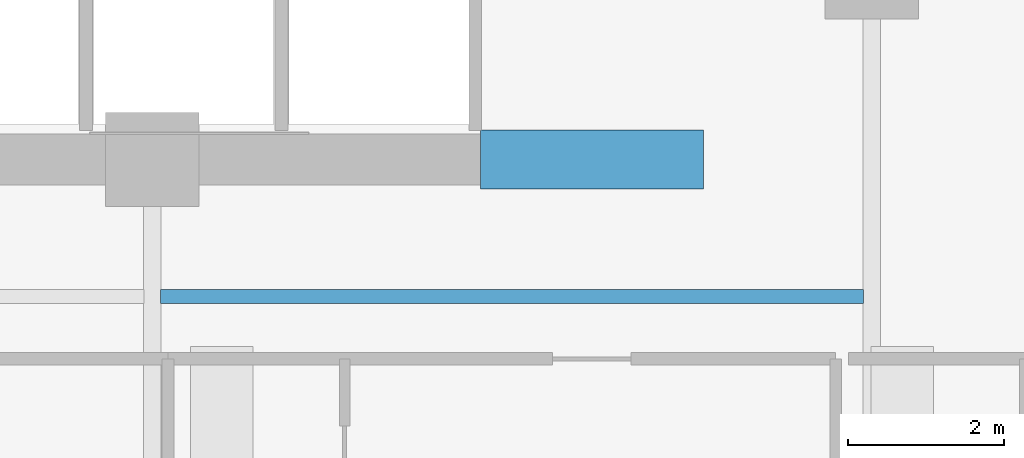
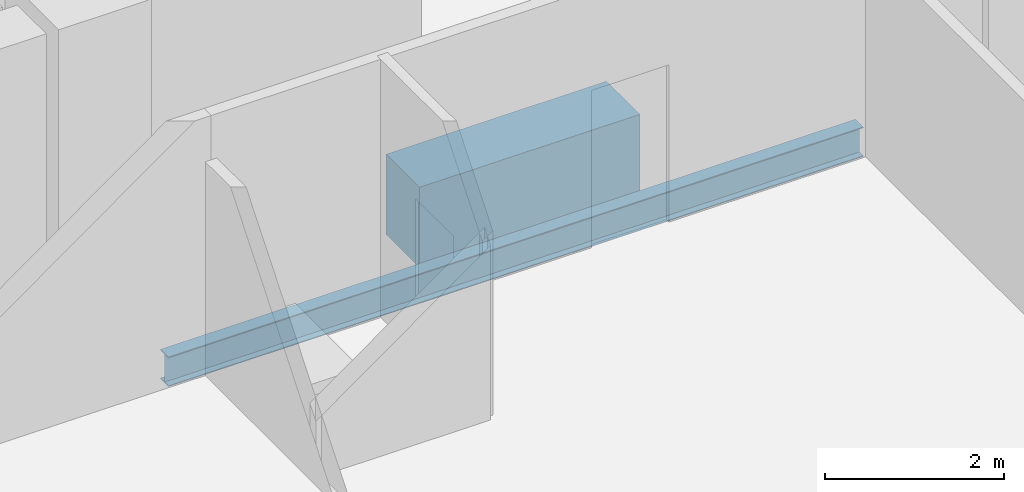
# One storey, part 11 of 32: 2 beams.
"""IFC4 building model written with IfcOpenShell, lengths in metres."""

import ifcopenshell
import ifcopenshell.guid

model = None  # the IFC model being written
_history = None  # IfcOwnerHistory: only IFC2X3 demands one
_inside = {}  # id of a spatial element -> (the spatial element, [elements in it])
_under = {}  # id of a project, library or spatial element -> (it, [spatial elements below it])
_declared = {}  # id of a project -> (the project, [libraries it declares])
_typed = {}  # id of a type object -> (the type object, [elements of that type])
_made_of = {}  # id of a material, layer set ... -> (it, [elements and type objects made of it])


def new_model(schema):
    """Start an empty IFC model of exactly this schema.

    Asked for "IFC4X3", IfcOpenShell would pick the latest addendum, in which some entities
    have other attributes; the version numbers below select the first issue.
    IFC2X3 requires an IfcOwnerHistory on every rooted entity: one is made here for all.
    """
    global model, _history
    if schema == "IFC4X3":
        model = ifcopenshell.file(schema_version=(4, 3, 0, 0))
    else:
        model = ifcopenshell.file(schema=schema)
    _inside.clear()
    _under.clear()
    _declared.clear()
    _typed.clear()
    _made_of.clear()
    _history = None
    if model.schema == "IFC2X3":
        org = make("IfcOrganization", Name="unknown")
        user = make(
            "IfcPersonAndOrganization",
            ThePerson=make("IfcPerson", FamilyName="unknown"),
            TheOrganization=org,
        )
        app = make(
            "IfcApplication",
            ApplicationDeveloper=org,
            Version="unknown",
            ApplicationFullName="unknown",
            ApplicationIdentifier="unknown",
        )
        _history = make(
            "IfcOwnerHistory",
            OwningUser=user,
            OwningApplication=app,
            ChangeAction="ADDED",
            CreationDate=0,
        )
    return model


def make(cls, **values):
    """One entity of the class cls with the attributes given. An attribute that is None is left unset."""
    return model.create_entity(
        cls, **{name: value for name, value in values.items() if value is not None}
    )


def rooted(cls, **values):
    """An entity with a GlobalId (a new one), such as an element, a storey or a relation."""
    return make(cls, GlobalId=ifcopenshell.guid.new(), OwnerHistory=_history, **values)


def si_unit(unit_type, name, prefix=None):
    """IfcSIUnit, for example si_unit("LENGTHUNIT", "METRE", prefix="MILLI")."""
    return make("IfcSIUnit", UnitType=unit_type, Prefix=prefix, Name=name)


def assignment(units):
    """IfcUnitAssignment: the units of a project."""
    return None if units is None else make("IfcUnitAssignment", Units=units)


def point(xyz):
    """IfcCartesianPoint."""
    return None if xyz is None else make("IfcCartesianPoint", Coordinates=xyz)


def direction(xyz):
    """IfcDirection."""
    return None if xyz is None else make("IfcDirection", DirectionRatios=xyz)


def frame(location, z_axis=None, x_axis=None):
    """IfcAxis2Placement3D, a coordinate frame: its origin and axes. An axis left out is left unset."""
    return make(
        "IfcAxis2Placement3D",
        Location=point(location),
        Axis=direction(z_axis),
        RefDirection=direction(x_axis),
    )


def frame_2d(location, x_axis=None):
    """IfcAxis2Placement2D, a coordinate frame in the plane: its origin and x axis."""
    return make(
        "IfcAxis2Placement2D", Location=point(location), RefDirection=direction(x_axis)
    )


def origin():
    """The frame at (0, 0, 0) with its axes left unset."""
    return frame((0.0, 0.0, 0.0))


def origin_2d():
    """The frame at (0, 0) in the plane with its x axis left unset."""
    return frame_2d((0.0, 0.0))


def place(relative_to, where):
    """IfcLocalPlacement: puts the frame where relative to a parent placement (None: the world)."""
    return make(
        "IfcLocalPlacement", PlacementRelTo=relative_to, RelativePlacement=where
    )


def context(
    kind, dimensions, precision=None, world=None, true_north=None, identifier=None
):
    """IfcGeometricRepresentationContext, for example the 3D "Model" context."""
    return make(
        "IfcGeometricRepresentationContext",
        ContextIdentifier=identifier,
        ContextType=kind,
        CoordinateSpaceDimension=dimensions,
        Precision=precision,
        WorldCoordinateSystem=world,
        TrueNorth=true_north,
    )


def subcontext(parent, identifier, kind, view, scale=None):
    """IfcGeometricRepresentationSubContext, for example "Body" below "Model"."""
    return make(
        "IfcGeometricRepresentationSubContext",
        ContextIdentifier=identifier,
        ContextType=kind,
        ParentContext=parent,
        TargetScale=scale,
        TargetView=view,
    )


def project(units=None, contexts=None):
    """IfcProject with its units and contexts."""
    return rooted(
        "IfcProject",
        Name="project",
        RepresentationContexts=contexts,
        UnitsInContext=assignment(units),
    )


def spatial(cls, under=None, at=None, **own):
    """A site, building, storey or space (cls), placed at a placement, below another one or the project."""
    s = rooted(cls, ObjectPlacement=at, **own)
    if under is not None:
        _under.setdefault(under.id(), (under, []))[1].append(s)
    return s


def profile(cls, at=None, kind="AREA", **sizes):
    """A parametric profile (cls). Its sizes go by their IFC names, for example OverallWidth=200.0."""
    return make(cls, ProfileType=kind, Position=at, **sizes)


def rectangle(**sizes):
    """IfcRectangleProfileDef."""
    return profile("IfcRectangleProfileDef", **sizes)


def i_section(**sizes):
    """IfcIShapeProfileDef."""
    return profile("IfcIShapeProfileDef", **sizes)


def extrude(swept, where, along, depth):
    """IfcExtrudedAreaSolid: the profile swept, set in the frame where, extruded along a direction by depth."""
    return make(
        "IfcExtrudedAreaSolid",
        SweptArea=swept,
        Position=where,
        ExtrudedDirection=direction(along),
        Depth=depth,
    )


def shape(context_of_items, identifier, shape_type, items):
    """IfcShapeRepresentation: the items that make up one representation, for example the "Body"."""
    return make(
        "IfcShapeRepresentation",
        ContextOfItems=context_of_items,
        RepresentationIdentifier=identifier,
        RepresentationType=shape_type,
        Items=items,
    )


def material(Name=None, Category=None):
    """IfcMaterial."""
    return make("IfcMaterial", Name=Name, Category=Category)


def material_profile(
    of_material, cross_section, Name=None, Category=None, Priority=None
):
    """IfcMaterialProfile: a cross section and its material."""
    return make(
        "IfcMaterialProfile",
        Name=Name,
        Material=of_material,
        Profile=cross_section,
        Priority=Priority,
        Category=Category,
    )


def profile_set(profiles, Name=None, composite=None):
    """IfcMaterialProfileSet."""
    return make(
        "IfcMaterialProfileSet",
        Name=Name,
        MaterialProfiles=profiles,
        CompositeProfile=composite,
    )


def made_of(thing, what):
    """Note that an element or type object is made of a material, layer set ...; save() writes the relation."""
    if what is not None:
        _made_of.setdefault(what.id(), (what, []))[1].append(thing)
    return thing


def type_object(cls, material=None, **own):
    """A type object (cls), such as IfcWallType, which elements share."""
    return made_of(rooted(cls, **own), material)


def element(
    cls,
    number,
    at=None,
    inside=None,
    cuts=None,
    type_object=None,
    material=None,
    context=None,
    identifier="Body",
    shape_type=None,
    held_by="IfcProductDefinitionShape",
    body=None,
    shapes=None,
    **own,
):
    """One element of the class cls, such as IfcWall. Its Tag is "e" and its number.

    at: its placement. inside: the storey or other place that contains it. cuts: it is an
    opening in that element (IfcRelVoidsElement). A single representation is given by context,
    identifier, shape_type and body (its items); several are given by shapes. held_by: the class
    of the entity that holds the representations. save() writes the other relations.
    """
    e = rooted(cls, Tag="e%d" % number, ObjectPlacement=at, **own)
    if body is not None:
        shapes = [shape(context, identifier, shape_type, body)]
    if shapes is not None:
        e.Representation = make(held_by, Representations=shapes)
    if inside is not None:
        _inside.setdefault(inside.id(), (inside, []))[1].append(e)
    if cuts is not None:
        rooted(
            "IfcRelVoidsElement", RelatingBuildingElement=cuts, RelatedOpeningElement=e
        )
    if type_object is not None:
        _typed.setdefault(type_object.id(), (type_object, []))[1].append(e)
    return made_of(e, material)


def aggregate(whole, parts):
    """IfcRelAggregates: a whole, such as a stair, and the parts it consists of."""
    return rooted("IfcRelAggregates", RelatingObject=whole, RelatedObjects=parts)


def save(model, path):
    """Write the relations noted so far, then the file.

    IfcRelAggregates (storeys below a building ...), IfcRelContainedInSpatialStructure (elements
    in a storey), IfcRelDefinesByType, IfcRelAssociatesMaterial and IfcRelDeclares: one each for
    every whole, place, type object, material and project.
    """
    for whole, parts in _under.values():
        aggregate(whole, parts)
    for where, things in _inside.values():
        rooted(
            "IfcRelContainedInSpatialStructure",
            RelatedElements=things,
            RelatingStructure=where,
        )
    for kind, things in _typed.values():
        rooted("IfcRelDefinesByType", RelatedObjects=things, RelatingType=kind)
    for what, things in _made_of.values():
        rooted("IfcRelAssociatesMaterial", RelatedObjects=things, RelatingMaterial=what)
    for by, libraries in _declared.values():
        rooted("IfcRelDeclares", RelatingContext=by, RelatedDefinitions=libraries)
    model.write(path)


model = new_model("IFC4")

# Units and contexts
model_context = context("Model", 3, precision=1e-05, world=origin(), true_north=direction((0.0, 1.0)))
body_context = subcontext(model_context, "Body", "Model", "MODEL_VIEW")
ifc_project = project(units=[si_unit("LENGTHUNIT", "METRE"), si_unit("AREAUNIT", "SQUARE_METRE"), si_unit("VOLUMEUNIT", "CUBIC_METRE"), si_unit("PLANEANGLEUNIT", "RADIAN"), si_unit("MASSUNIT", "GRAM", prefix="KILO")], contexts=[model_context])

# Site, building, storey
site_placement = place(None, origin())
site = spatial("IfcSite", under=ifc_project, at=site_placement, CompositionType="ELEMENT")
building_placement = place(site_placement, origin())
building = spatial("IfcBuilding", under=site, at=building_placement, Name="Zuhayl Quay Hotel", CompositionType="ELEMENT")
storey_placement = place(building_placement, frame((0.0, 0.0, 184.89990234375)))
storey = spatial("IfcBuildingStorey", under=building, at=storey_placement, Name="L46", CompositionType="ELEMENT", Elevation=184.89990234375)

# Beams
ifc_material_1 = material(Name="Concrete C60/75", Category="concrete")
ifc_material_profile_1 = material_profile(ifc_material_1, rectangle(XDim=0.75, YDim=1.10009765625, at=origin_2d()), Name="RC750X1100")
ifc_profile_set_1 = profile_set([ifc_material_profile_1], Name="Concrete C60/75")
beam_type_1 = type_object("IfcBeamType", Name="BM_CB2_RC750", PredefinedType="T_BEAM", material=ifc_profile_set_1)
beam_1_placement = place(storey_placement, frame((8.800048828125, 2.14990234375, -0.77001953125), z_axis=(1.0, 0.0, 0.0), x_axis=(0.0, 1.0, 0.0)))
element("IfcBeam", 1, at=beam_1_placement, inside=storey, type_object=beam_type_1, Name="L46 Core Coupling Beam SE", PredefinedType="T_BEAM", context=body_context, shape_type="SweptSolid", body=[
    extrude(rectangle(XDim=0.75, YDim=1.10009765625, at=origin_2d()), origin(), (0.0, 0.0, 1.0), 2.849853515625),
])
ifc_material_2 = material(Name="Steel ASTM A992 Grade 50", Category="steel")
ifc_material_profile_2 = material_profile(ifc_material_2, i_section(OverallWidth=0.177978515625, OverallDepth=0.406005859375, WebThickness=0.0078125, FlangeThickness=0.0126953125, at=origin_2d()), Name="W16X40")
ifc_profile_set_2 = profile_set([ifc_material_profile_2], Name="Steel ASTM A992 Grade 50")
beam_type_2 = type_object("IfcBeamType", Name="BM_J2B_W16X40", PredefinedType="JOIST", material=ifc_profile_set_2)
beam_2_placement = place(storey_placement, frame((4.7060546875, 0.39990234375, -0.4228515625), z_axis=(1.0, 0.0, 0.0), x_axis=(0.0, 1.0, 0.0)))
element("IfcBeam", 2, at=beam_2_placement, inside=storey, type_object=beam_type_2, Name="L46 Floor Beam FJ_L46_8_3", PredefinedType="JOIST", context=body_context, shape_type="SweptSolid", body=[
    extrude(i_section(OverallWidth=0.177978515625, OverallDepth=0.406005859375, WebThickness=0.0078125, FlangeThickness=0.0126953125, at=origin_2d()), origin(), (0.0, 0.0, 1.0), 8.988037109375),
])

save(model, "model.ifc")
